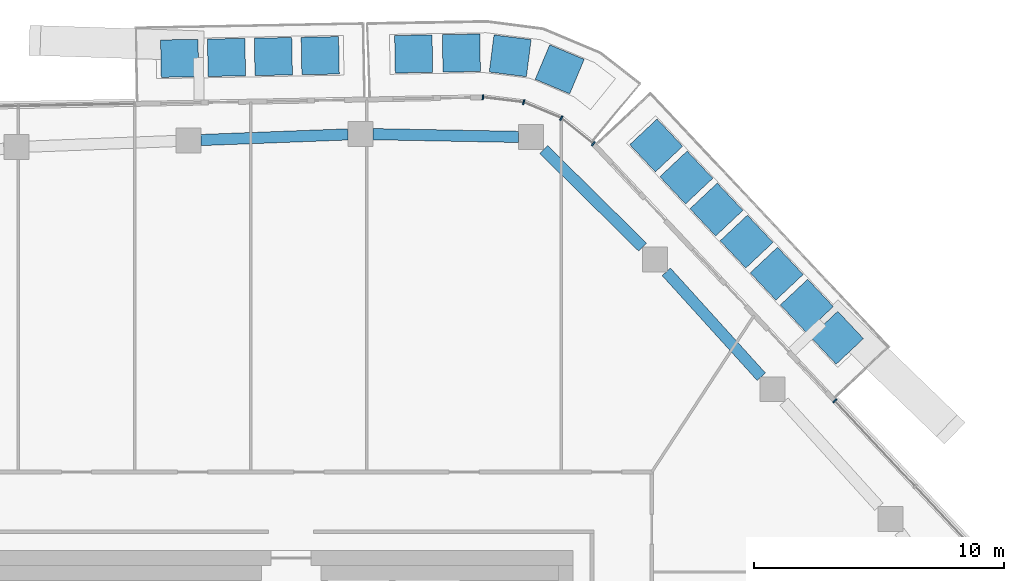
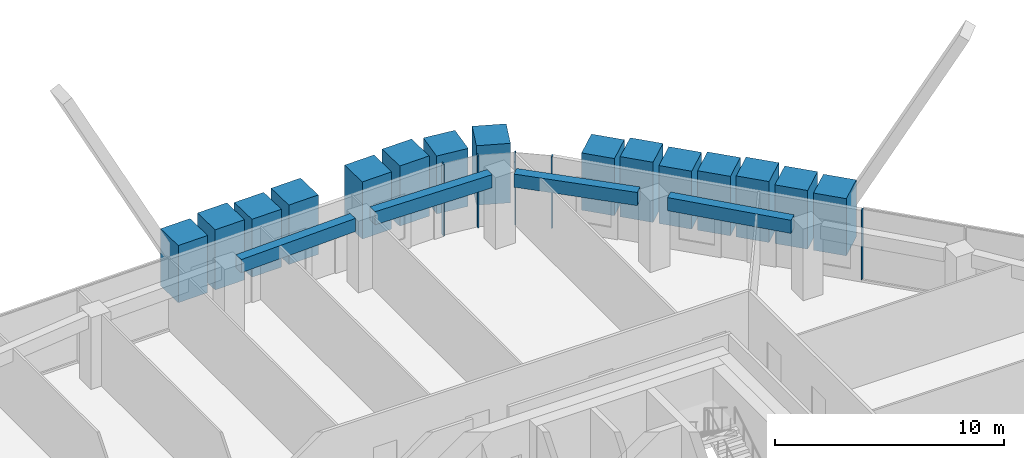
# One storey, part 9 of 24: 20 members, 4 beams, 2 elements without a shape of their own.
"""IFC4 building model written with IfcOpenShell, lengths in metres."""

import ifcopenshell
import ifcopenshell.guid

model = None  # the IFC model being written
_history = None  # IfcOwnerHistory: only IFC2X3 demands one
_inside = {}  # id of a spatial element -> (the spatial element, [elements in it])
_under = {}  # id of a project, library or spatial element -> (it, [spatial elements below it])
_declared = {}  # id of a project -> (the project, [libraries it declares])
_typed = {}  # id of a type object -> (the type object, [elements of that type])
_made_of = {}  # id of a material, layer set ... -> (it, [elements and type objects made of it])


def new_model(schema):
    """Start an empty IFC model of exactly this schema.

    Asked for "IFC4X3", IfcOpenShell would pick the latest addendum, in which some entities
    have other attributes; the version numbers below select the first issue.
    IFC2X3 requires an IfcOwnerHistory on every rooted entity: one is made here for all.
    """
    global model, _history
    if schema == "IFC4X3":
        model = ifcopenshell.file(schema_version=(4, 3, 0, 0))
    else:
        model = ifcopenshell.file(schema=schema)
    _inside.clear()
    _under.clear()
    _declared.clear()
    _typed.clear()
    _made_of.clear()
    _history = None
    if model.schema == "IFC2X3":
        org = make("IfcOrganization", Name="unknown")
        user = make(
            "IfcPersonAndOrganization",
            ThePerson=make("IfcPerson", FamilyName="unknown"),
            TheOrganization=org,
        )
        app = make(
            "IfcApplication",
            ApplicationDeveloper=org,
            Version="unknown",
            ApplicationFullName="unknown",
            ApplicationIdentifier="unknown",
        )
        _history = make(
            "IfcOwnerHistory",
            OwningUser=user,
            OwningApplication=app,
            ChangeAction="ADDED",
            CreationDate=0,
        )
    return model


def make(cls, **values):
    """One entity of the class cls with the attributes given. An attribute that is None is left unset."""
    return model.create_entity(
        cls, **{name: value for name, value in values.items() if value is not None}
    )


def rooted(cls, **values):
    """An entity with a GlobalId (a new one), such as an element, a storey or a relation."""
    return make(cls, GlobalId=ifcopenshell.guid.new(), OwnerHistory=_history, **values)


def si_unit(unit_type, name, prefix=None):
    """IfcSIUnit, for example si_unit("LENGTHUNIT", "METRE", prefix="MILLI")."""
    return make("IfcSIUnit", UnitType=unit_type, Prefix=prefix, Name=name)


def assignment(units):
    """IfcUnitAssignment: the units of a project."""
    return None if units is None else make("IfcUnitAssignment", Units=units)


def point(xyz):
    """IfcCartesianPoint."""
    return None if xyz is None else make("IfcCartesianPoint", Coordinates=xyz)


def direction(xyz):
    """IfcDirection."""
    return None if xyz is None else make("IfcDirection", DirectionRatios=xyz)


def frame(location, z_axis=None, x_axis=None):
    """IfcAxis2Placement3D, a coordinate frame: its origin and axes. An axis left out is left unset."""
    return make(
        "IfcAxis2Placement3D",
        Location=point(location),
        Axis=direction(z_axis),
        RefDirection=direction(x_axis),
    )


def frame_2d(location, x_axis=None):
    """IfcAxis2Placement2D, a coordinate frame in the plane: its origin and x axis."""
    return make(
        "IfcAxis2Placement2D", Location=point(location), RefDirection=direction(x_axis)
    )


def origin():
    """The frame at (0, 0, 0) with its axes left unset."""
    return frame((0.0, 0.0, 0.0))


def origin_2d():
    """The frame at (0, 0) in the plane with its x axis left unset."""
    return frame_2d((0.0, 0.0))


def place(relative_to, where):
    """IfcLocalPlacement: puts the frame where relative to a parent placement (None: the world)."""
    return make(
        "IfcLocalPlacement", PlacementRelTo=relative_to, RelativePlacement=where
    )


def context(
    kind, dimensions, precision=None, world=None, true_north=None, identifier=None
):
    """IfcGeometricRepresentationContext, for example the 3D "Model" context."""
    return make(
        "IfcGeometricRepresentationContext",
        ContextIdentifier=identifier,
        ContextType=kind,
        CoordinateSpaceDimension=dimensions,
        Precision=precision,
        WorldCoordinateSystem=world,
        TrueNorth=true_north,
    )


def subcontext(parent, identifier, kind, view, scale=None):
    """IfcGeometricRepresentationSubContext, for example "Body" below "Model"."""
    return make(
        "IfcGeometricRepresentationSubContext",
        ContextIdentifier=identifier,
        ContextType=kind,
        ParentContext=parent,
        TargetScale=scale,
        TargetView=view,
    )


def project(units=None, contexts=None):
    """IfcProject with its units and contexts."""
    return rooted(
        "IfcProject",
        Name="project",
        RepresentationContexts=contexts,
        UnitsInContext=assignment(units),
    )


def spatial(cls, under=None, at=None, **own):
    """A site, building, storey or space (cls), placed at a placement, below another one or the project."""
    s = rooted(cls, ObjectPlacement=at, **own)
    if under is not None:
        _under.setdefault(under.id(), (under, []))[1].append(s)
    return s


def profile(cls, at=None, kind="AREA", **sizes):
    """A parametric profile (cls). Its sizes go by their IFC names, for example OverallWidth=200.0."""
    return make(cls, ProfileType=kind, Position=at, **sizes)


def rectangle(**sizes):
    """IfcRectangleProfileDef."""
    return profile("IfcRectangleProfileDef", **sizes)


def extrude(swept, where, along, depth):
    """IfcExtrudedAreaSolid: the profile swept, set in the frame where, extruded along a direction by depth."""
    return make(
        "IfcExtrudedAreaSolid",
        SweptArea=swept,
        Position=where,
        ExtrudedDirection=direction(along),
        Depth=depth,
    )


def shape(context_of_items, identifier, shape_type, items):
    """IfcShapeRepresentation: the items that make up one representation, for example the "Body"."""
    return make(
        "IfcShapeRepresentation",
        ContextOfItems=context_of_items,
        RepresentationIdentifier=identifier,
        RepresentationType=shape_type,
        Items=items,
    )


def material(Name=None, Category=None):
    """IfcMaterial."""
    return make("IfcMaterial", Name=Name, Category=Category)


def layer(
    of_material, thickness, ventilated=None, Name=None, Category=None, Priority=None
):
    """IfcMaterialLayer: one layer of a wall or slab, of a material (None: an air gap)."""
    return make(
        "IfcMaterialLayer",
        Material=of_material,
        LayerThickness=thickness,
        IsVentilated=ventilated,
        Name=Name,
        Category=Category,
        Priority=Priority,
    )


def layer_set(layers, Name=None):
    """IfcMaterialLayerSet."""
    return make("IfcMaterialLayerSet", MaterialLayers=layers, LayerSetName=Name)


def material_profile(
    of_material, cross_section, Name=None, Category=None, Priority=None
):
    """IfcMaterialProfile: a cross section and its material."""
    return make(
        "IfcMaterialProfile",
        Name=Name,
        Material=of_material,
        Profile=cross_section,
        Priority=Priority,
        Category=Category,
    )


def profile_set(profiles, Name=None, composite=None):
    """IfcMaterialProfileSet."""
    return make(
        "IfcMaterialProfileSet",
        Name=Name,
        MaterialProfiles=profiles,
        CompositeProfile=composite,
    )


def made_of(thing, what):
    """Note that an element or type object is made of a material, layer set ...; save() writes the relation."""
    if what is not None:
        _made_of.setdefault(what.id(), (what, []))[1].append(thing)
    return thing


def type_object(cls, material=None, **own):
    """A type object (cls), such as IfcWallType, which elements share."""
    return made_of(rooted(cls, **own), material)


def element(
    cls,
    number,
    at=None,
    inside=None,
    cuts=None,
    type_object=None,
    material=None,
    context=None,
    identifier="Body",
    shape_type=None,
    held_by="IfcProductDefinitionShape",
    body=None,
    shapes=None,
    **own,
):
    """One element of the class cls, such as IfcWall. Its Tag is "e" and its number.

    at: its placement. inside: the storey or other place that contains it. cuts: it is an
    opening in that element (IfcRelVoidsElement). A single representation is given by context,
    identifier, shape_type and body (its items); several are given by shapes. held_by: the class
    of the entity that holds the representations. save() writes the other relations.
    """
    e = rooted(cls, Tag="e%d" % number, ObjectPlacement=at, **own)
    if body is not None:
        shapes = [shape(context, identifier, shape_type, body)]
    if shapes is not None:
        e.Representation = make(held_by, Representations=shapes)
    if inside is not None:
        _inside.setdefault(inside.id(), (inside, []))[1].append(e)
    if cuts is not None:
        rooted(
            "IfcRelVoidsElement", RelatingBuildingElement=cuts, RelatedOpeningElement=e
        )
    if type_object is not None:
        _typed.setdefault(type_object.id(), (type_object, []))[1].append(e)
    return made_of(e, material)


def aggregate(whole, parts):
    """IfcRelAggregates: a whole, such as a stair, and the parts it consists of."""
    return rooted("IfcRelAggregates", RelatingObject=whole, RelatedObjects=parts)


def save(model, path):
    """Write the relations noted so far, then the file.

    IfcRelAggregates (storeys below a building ...), IfcRelContainedInSpatialStructure (elements
    in a storey), IfcRelDefinesByType, IfcRelAssociatesMaterial and IfcRelDeclares: one each for
    every whole, place, type object, material and project.
    """
    for whole, parts in _under.values():
        aggregate(whole, parts)
    for where, things in _inside.values():
        rooted(
            "IfcRelContainedInSpatialStructure",
            RelatedElements=things,
            RelatingStructure=where,
        )
    for kind, things in _typed.values():
        rooted("IfcRelDefinesByType", RelatedObjects=things, RelatingType=kind)
    for what, things in _made_of.values():
        rooted("IfcRelAssociatesMaterial", RelatedObjects=things, RelatingMaterial=what)
    for by, libraries in _declared.values():
        rooted("IfcRelDeclares", RelatingContext=by, RelatedDefinitions=libraries)
    model.write(path)


model = new_model("IFC4")

# Units and contexts
model_context = context("Model", 3, precision=1e-05, world=origin(), true_north=direction((0.0, 1.0)))
body_context = subcontext(model_context, "Body", "Model", "MODEL_VIEW")
ifc_project = project(units=[si_unit("LENGTHUNIT", "METRE"), si_unit("AREAUNIT", "SQUARE_METRE"), si_unit("VOLUMEUNIT", "CUBIC_METRE"), si_unit("PLANEANGLEUNIT", "RADIAN"), si_unit("MASSUNIT", "GRAM", prefix="KILO")], contexts=[model_context])

# Site, building, storey
site_placement = place(None, origin())
site = spatial("IfcSite", under=ifc_project, at=site_placement, CompositionType="ELEMENT")
building_placement = place(site_placement, origin())
building = spatial("IfcBuilding", under=site, at=building_placement, Name="Dongbaek Canopy Tower", CompositionType="ELEMENT")
storey_placement = place(building_placement, frame((0.0, 0.0, 298.39990234375)))
storey = spatial("IfcBuildingStorey", under=building, at=storey_placement, Name="L63", CompositionType="ELEMENT", Elevation=298.39990234375)

# Curtain wall, member
ifc_material_1 = material(Name="Aluminium 6063-T6 pale anodised", Category="aluminium")
ifc_layer = layer(ifc_material_1, 0.199951171875)
ifc_layer_set = layer_set([ifc_layer], Name="CW-1 unitised tower curtain wall")
curtain_wall_type = type_object("IfcCurtainWallType", Name="CW-1 unitised tower curtain wall", PredefinedType="NOTDEFINED", material=ifc_layer_set)
curtain_wall_1_placement = place(storey_placement, origin())
curtain_wall_1 = element("IfcCurtainWall", 1, at=curtain_wall_1_placement, inside=storey, type_object=curtain_wall_type, Name="CW-1 curtain wall F0.1", PredefinedType="NOTDEFINED")
ifc_material_2 = material(Name="Aluminium 6063-T6 pale anodised", Category="aluminium")
ifc_material_profile_1 = material_profile(ifc_material_2, rectangle(XDim=0.199951171875, YDim=0.06005859375, at=origin_2d()), Name="CW-1 mullion 60 x 200")
ifc_profile_set_1 = profile_set([ifc_material_profile_1], Name="Aluminium 6063-T6 pale anodised")
member_type_1 = type_object("IfcMemberType", Name="CW-1 mullion 60 x 200", PredefinedType="MULLION", material=ifc_profile_set_1)
member_1_placement = place(storey_placement, frame((24.482421875, 17.000244140625, 0.1201171875), z_axis=(0.0, 0.0, 1.0), x_axis=(0.728702280393, 0.684830626177, 0.0)))
member_1 = element("IfcMember", 2, at=member_1_placement, type_object=member_type_1, Name="CW-1 mullion F0.1.3", PredefinedType="MULLION", context=body_context, shape_type="SweptSolid", body=[
    extrude(rectangle(XDim=0.199951171875, YDim=0.06005859375, at=origin_2d()), origin(), (0.0, 0.0, 1.0), 3.699951171875),
])
aggregate(curtain_wall_1, [member_1])

# Curtain wall, members
curtain_wall_2_placement = place(storey_placement, origin())
curtain_wall_2 = element("IfcCurtainWall", 3, at=curtain_wall_2_placement, inside=storey, type_object=curtain_wall_type, Name="CW-1 curtain wall K1.1", PredefinedType="NOTDEFINED")
member_2_placement = place(storey_placement, frame((14.805419921875, 27.29736328125, 0.0), z_axis=(0.0, 0.0, 1.0), x_axis=(0.626615855396, 0.779328281128, 0.0)))
member_2 = element("IfcMember", 4, at=member_2_placement, type_object=member_type_1, Name="CW-1 mullion K1.1.1", PredefinedType="MULLION", context=body_context, shape_type="SweptSolid", body=[
    extrude(rectangle(XDim=0.199951171875, YDim=0.06005859375, at=origin_2d()), origin(), (0.0, 0.0, 1.0), 3.820068359375),
])
member_3_placement = place(storey_placement, frame((13.524169921875, 28.32763671875, 0.0), z_axis=(0.0, 0.0, 1.0), x_axis=(0.512403508149, 0.85874480775, 0.0)))
member_3 = element("IfcMember", 5, at=member_3_placement, type_object=member_type_1, Name="CW-1 mullion K1.1.2", PredefinedType="MULLION", context=body_context, shape_type="SweptSolid", body=[
    extrude(rectangle(XDim=0.199951171875, YDim=0.06005859375, at=origin_2d()), origin(), (0.0, 0.0, 1.0), 3.820068359375),
])
member_4_placement = place(storey_placement, frame((12.015380859375, 28.96337890625, 0.0), z_axis=(0.0, 0.0, 1.0), x_axis=(0.256633626834, 0.966508759183, 0.0)))
member_4 = element("IfcMember", 6, at=member_4_placement, type_object=member_type_1, Name="CW-1 mullion K1.1.3", PredefinedType="MULLION", context=body_context, shape_type="SweptSolid", body=[
    extrude(rectangle(XDim=0.199951171875, YDim=0.06005859375, at=origin_2d()), origin(), (0.0, 0.0, 1.0), 3.820068359375),
])
member_5_placement = place(storey_placement, frame((10.3828125, 29.16064453125, 0.0), z_axis=(0.0, 0.0, 1.0), x_axis=(0.120025609533, 0.992770795832, 0.0)))
member_5 = element("IfcMember", 7, at=member_5_placement, type_object=member_type_1, Name="CW-1 mullion K1.1.4", PredefinedType="MULLION", context=body_context, shape_type="SweptSolid", body=[
    extrude(rectangle(XDim=0.199951171875, YDim=0.06005859375, at=origin_2d()), origin(), (0.0, 0.0, 1.0), 3.820068359375),
])
aggregate(curtain_wall_2, [member_2, member_3, member_4, member_5])

# Beams
ifc_material_3 = material(Name="Concrete C60", Category="concrete")
ifc_material_profile_2 = material_profile(ifc_material_3, rectangle(XDim=0.449951171875, YDim=0.699951171875, at=origin_2d()), Name="RC EDGE BEAM 450x700 C60")
ifc_profile_set_2 = profile_set([ifc_material_profile_2], Name="Concrete C60")
beam_type = type_object("IfcBeamType", Name="RC EDGE BEAM 450x700 C60", PredefinedType="BEAM", material=ifc_profile_set_2)
beam_1_placement = place(storey_placement, frame((-0.91796875, 27.447265625, 3.47021484375), z_axis=(0.999267098379, 0.038278794366, 0.0), x_axis=(-0.038278794366, 0.999267098379, 0.0)))
element("IfcBeam", 8, at=beam_1_placement, inside=storey, type_object=beam_type, Name="EDGEBEAM:L63:15", PredefinedType="BEAM", context=body_context, shape_type="SweptSolid", body=[
    extrude(rectangle(XDim=0.449951171875, YDim=0.699951171875, at=origin_2d()), origin(), (0.0, 0.0, 1.0), 5.893310546875),
])
beam_2_placement = place(storey_placement, frame((5.970947265625, 27.6826171875, 3.47021484375), z_axis=(0.99982249395, -0.018840928625, 0.0), x_axis=(0.018840928625, 0.99982249395, 0.0)))
element("IfcBeam", 9, at=beam_2_placement, inside=storey, type_object=beam_type, Name="EDGEBEAM:L63:16", PredefinedType="BEAM", context=body_context, shape_type="SweptSolid", body=[
    extrude(rectangle(XDim=0.449951171875, YDim=0.699951171875, at=origin_2d()), origin(), (0.0, 0.0, 1.0), 5.843994140625),
])
beam_3_placement = place(storey_placement, frame((12.81396484375, 27.069580078125, 3.47021484375), z_axis=(0.711740530271, -0.702442465665, 0.0), x_axis=(0.702442465665, 0.711740530271, 0.0)))
element("IfcBeam", 10, at=beam_3_placement, inside=storey, type_object=beam_type, Name="EDGEBEAM:L63:17", PredefinedType="BEAM", context=body_context, shape_type="SweptSolid", body=[
    extrude(rectangle(XDim=0.449951171875, YDim=0.699951171875, at=origin_2d()), origin(), (0.0, 0.0, 1.0), 5.56640625),
])
beam_4_placement = place(storey_placement, frame((17.72900390625, 22.166015625, 3.47021484375), z_axis=(0.67133921348, -0.741150227986, 0.0), x_axis=(0.741150227986, 0.67133921348, 0.0)))
element("IfcBeam", 11, at=beam_4_placement, inside=storey, type_object=beam_type, Name="EDGEBEAM:L63:18", PredefinedType="BEAM", context=body_context, shape_type="SweptSolid", body=[
    extrude(rectangle(XDim=0.449951171875, YDim=0.699951171875, at=origin_2d()), origin(), (0.0, 0.0, 1.0), 5.67236328125),
])

# Members
ifc_material_4 = material(Name="Concrete C40/50 planter mass with planting", Category="concrete")
ifc_material_profile_3 = material_profile(ifc_material_4, rectangle(XDim=1.5, YDim=1.5, at=origin_2d()), Name="Terrace PLANTER shrub mass 1500 x 1500")
ifc_profile_set_3 = profile_set([ifc_material_profile_3], Name="Concrete C40/50 planter mass with planting")
member_type_2 = type_object("IfcMemberType", Name="Terrace PLANTER shrub mass 1500 x 1500", PredefinedType="USERDEFINED", material=ifc_profile_set_3)
member_6_placement = place(storey_placement, frame((24.567138671875, 19.524169921875, 0.420166015625), z_axis=(0.0, 0.0, 1.0), x_axis=(0.728702280393, 0.684830626177, 0.0)))
element("IfcMember", 12, at=member_6_placement, inside=storey, type_object=member_type_2, Name="Planter shrubs L63 1.1", ObjectType="PLANTER", PredefinedType="USERDEFINED", context=body_context, shape_type="SweptSolid", body=[
    extrude(rectangle(XDim=1.5, YDim=1.5, at=origin_2d()), origin(), (0.0, 0.0, 1.0), 3.050048828125),
])
member_7_placement = place(storey_placement, frame((23.360107421875, 20.80859375, 0.420166015625), z_axis=(0.0, 0.0, 1.0), x_axis=(0.728702280393, 0.684830626177, 0.0)))
element("IfcMember", 13, at=member_7_placement, inside=storey, type_object=member_type_2, Name="Planter shrubs L63 1.2", ObjectType="PLANTER", PredefinedType="USERDEFINED", context=body_context, shape_type="SweptSolid", body=[
    extrude(rectangle(XDim=1.5, YDim=1.5, at=origin_2d()), origin(), (0.0, 0.0, 1.0), 3.1298828125),
])
member_8_placement = place(storey_placement, frame((22.153076171875, 22.0927734375, 0.420166015625), z_axis=(0.0, 0.0, 1.0), x_axis=(0.728702280393, 0.684830626177, 0.0)))
element("IfcMember", 14, at=member_8_placement, inside=storey, type_object=member_type_2, Name="Planter shrubs L63 1.3", ObjectType="PLANTER", PredefinedType="USERDEFINED", context=body_context, shape_type="SweptSolid", body=[
    extrude(rectangle(XDim=1.5, YDim=1.5, at=origin_2d()), origin(), (0.0, 0.0, 1.0), 3.25),
])
member_9_placement = place(storey_placement, frame((20.946044921875, 23.377197265625, 0.420166015625), z_axis=(0.0, 0.0, 1.0), x_axis=(0.728702280393, 0.684830626177, 0.0)))
element("IfcMember", 15, at=member_9_placement, inside=storey, type_object=member_type_2, Name="Planter shrubs L63 1.4", ObjectType="PLANTER", PredefinedType="USERDEFINED", context=body_context, shape_type="SweptSolid", body=[
    extrude(rectangle(XDim=1.5, YDim=1.5, at=origin_2d()), origin(), (0.0, 0.0, 1.0), 3.169921875),
])
member_10_placement = place(storey_placement, frame((19.739013671875, 24.66162109375, 0.420166015625), z_axis=(0.0, 0.0, 1.0), x_axis=(0.728702280393, 0.684830626177, 0.0)))
element("IfcMember", 16, at=member_10_placement, inside=storey, type_object=member_type_2, Name="Planter shrubs L63 1.5", ObjectType="PLANTER", PredefinedType="USERDEFINED", context=body_context, shape_type="SweptSolid", body=[
    extrude(rectangle(XDim=1.5, YDim=1.5, at=origin_2d()), origin(), (0.0, 0.0, 1.0), 3.08984375),
])
member_11_placement = place(storey_placement, frame((18.531982421875, 25.94580078125, 0.420166015625), z_axis=(0.0, 0.0, 1.0), x_axis=(0.728702280393, 0.684830626177, 0.0)))
element("IfcMember", 17, at=member_11_placement, inside=storey, type_object=member_type_2, Name="Planter shrubs L63 1.6", ObjectType="PLANTER", PredefinedType="USERDEFINED", context=body_context, shape_type="SweptSolid", body=[
    extrude(rectangle(XDim=1.5, YDim=1.5, at=origin_2d()), origin(), (0.0, 0.0, 1.0), 3.2099609375),
])
member_12_placement = place(storey_placement, frame((17.324951171875, 27.230224609375, 0.420166015625), z_axis=(0.0, 0.0, 1.0), x_axis=(0.728702280393, 0.684830626177, 0.0)))
element("IfcMember", 18, at=member_12_placement, inside=storey, type_object=member_type_2, Name="Planter shrubs L63 1.7", ObjectType="PLANTER", PredefinedType="USERDEFINED", context=body_context, shape_type="SweptSolid", body=[
    extrude(rectangle(XDim=1.5, YDim=1.5, at=origin_2d()), origin(), (0.0, 0.0, 1.0), 3.050048828125),
])
member_13_placement = place(storey_placement, frame((3.862548828125, 30.82763671875, 0.420166015625), z_axis=(0.0, 0.0, 1.0), x_axis=(-0.018905076744, 0.999821283067, 0.0)))
element("IfcMember", 19, at=member_13_placement, inside=storey, type_object=member_type_2, Name="Planter shrubs L63 2.1", ObjectType="PLANTER", PredefinedType="USERDEFINED", context=body_context, shape_type="SweptSolid", body=[
    extrude(rectangle(XDim=1.5, YDim=1.5, at=origin_2d()), origin(), (0.0, 0.0, 1.0), 3.169921875),
])
member_14_placement = place(storey_placement, frame((1.98486328125, 30.792236328125, 0.420166015625), z_axis=(0.0, 0.0, 1.0), x_axis=(-0.018905076744, 0.999821283067, 0.0)))
element("IfcMember", 20, at=member_14_placement, inside=storey, type_object=member_type_2, Name="Planter shrubs L63 2.2", ObjectType="PLANTER", PredefinedType="USERDEFINED", context=body_context, shape_type="SweptSolid", body=[
    extrude(rectangle(XDim=1.5, YDim=1.5, at=origin_2d()), origin(), (0.0, 0.0, 1.0), 3.08984375),
])
member_15_placement = place(storey_placement, frame((0.107421875, 30.756591796875, 0.420166015625), z_axis=(0.0, 0.0, 1.0), x_axis=(-0.018905076744, 0.999821283067, 0.0)))
element("IfcMember", 21, at=member_15_placement, inside=storey, type_object=member_type_2, Name="Planter shrubs L63 2.3", ObjectType="PLANTER", PredefinedType="USERDEFINED", context=body_context, shape_type="SweptSolid", body=[
    extrude(rectangle(XDim=1.5, YDim=1.5, at=origin_2d()), origin(), (0.0, 0.0, 1.0), 3.2099609375),
])
member_16_placement = place(storey_placement, frame((-1.77001953125, 30.72119140625, 0.420166015625), z_axis=(0.0, 0.0, 1.0), x_axis=(-0.018905076744, 0.999821283067, 0.0)))
element("IfcMember", 22, at=member_16_placement, inside=storey, type_object=member_type_2, Name="Planter shrubs L63 2.4", ObjectType="PLANTER", PredefinedType="USERDEFINED", context=body_context, shape_type="SweptSolid", body=[
    extrude(rectangle(XDim=1.5, YDim=1.5, at=origin_2d()), origin(), (0.0, 0.0, 1.0), 3.050048828125),
])
member_17_placement = place(storey_placement, frame((13.458251953125, 30.280029296875, 0.420166015625), z_axis=(0.0, 0.0, 1.0), x_axis=(0.38827541263, 0.921543381479, 0.0)))
element("IfcMember", 23, at=member_17_placement, inside=storey, type_object=member_type_2, Name="Planter shrubs L63 6.1", ObjectType="PLANTER", PredefinedType="USERDEFINED", context=body_context, shape_type="SweptSolid", body=[
    extrude(rectangle(XDim=1.5, YDim=1.5, at=origin_2d()), origin(), (0.0, 0.0, 1.0), 3.169921875),
])
member_18_placement = place(storey_placement, frame((11.474365234375, 30.821533203125, 0.420166015625), z_axis=(0.0, 0.0, 1.0), x_axis=(0.126056164569, 0.99202310627, 0.0)))
element("IfcMember", 24, at=member_18_placement, inside=storey, type_object=member_type_2, Name="Planter shrubs L63 6.2", ObjectType="PLANTER", PredefinedType="USERDEFINED", context=body_context, shape_type="SweptSolid", body=[
    extrude(rectangle(XDim=1.5, YDim=1.5, at=origin_2d()), origin(), (0.0, 0.0, 1.0), 3.08984375),
])
member_19_placement = place(storey_placement, frame((9.51806640625, 30.931640625, 0.420166015625), z_axis=(0.0, 0.0, 1.0), x_axis=(-0.017834727748, 0.999840948594, 0.0)))
element("IfcMember", 25, at=member_19_placement, inside=storey, type_object=member_type_2, Name="Planter shrubs L63 6.3", ObjectType="PLANTER", PredefinedType="USERDEFINED", context=body_context, shape_type="SweptSolid", body=[
    extrude(rectangle(XDim=1.5, YDim=1.5, at=origin_2d()), origin(), (0.0, 0.0, 1.0), 3.2099609375),
])
member_20_placement = place(storey_placement, frame((7.606689453125, 30.8974609375, 0.420166015625), z_axis=(0.0, 0.0, 1.0), x_axis=(-0.017834727748, 0.999840948594, 0.0)))
element("IfcMember", 26, at=member_20_placement, inside=storey, type_object=member_type_2, Name="Planter shrubs L63 6.4", ObjectType="PLANTER", PredefinedType="USERDEFINED", context=body_context, shape_type="SweptSolid", body=[
    extrude(rectangle(XDim=1.5, YDim=1.5, at=origin_2d()), origin(), (0.0, 0.0, 1.0), 3.050048828125),
])

save(model, "model.ifc")
